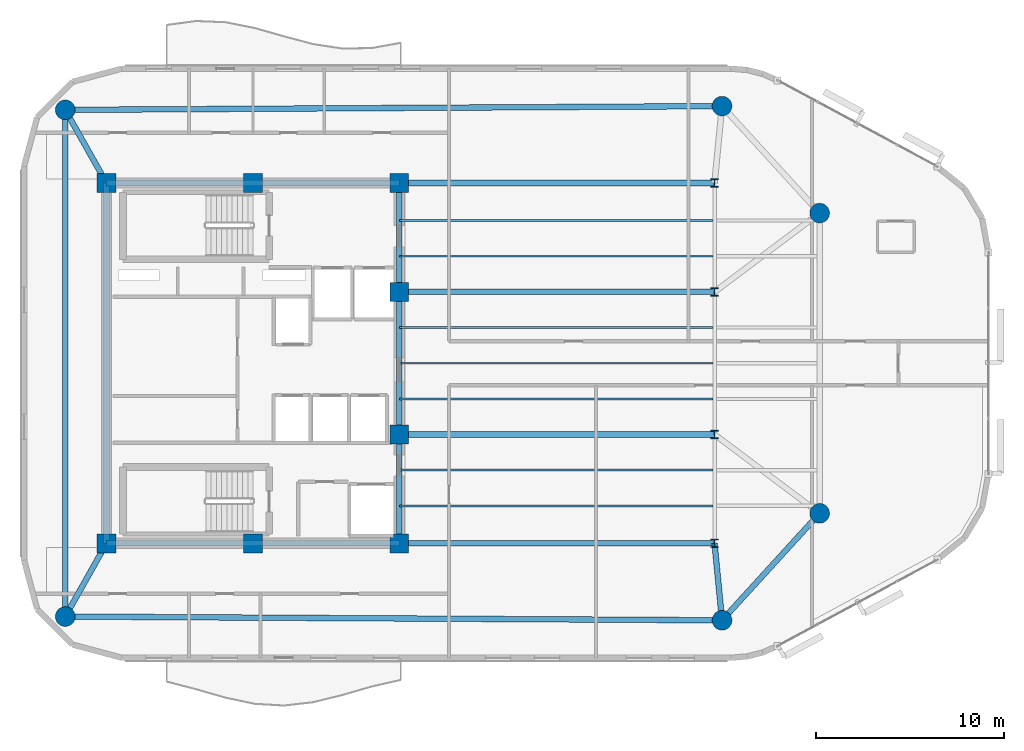
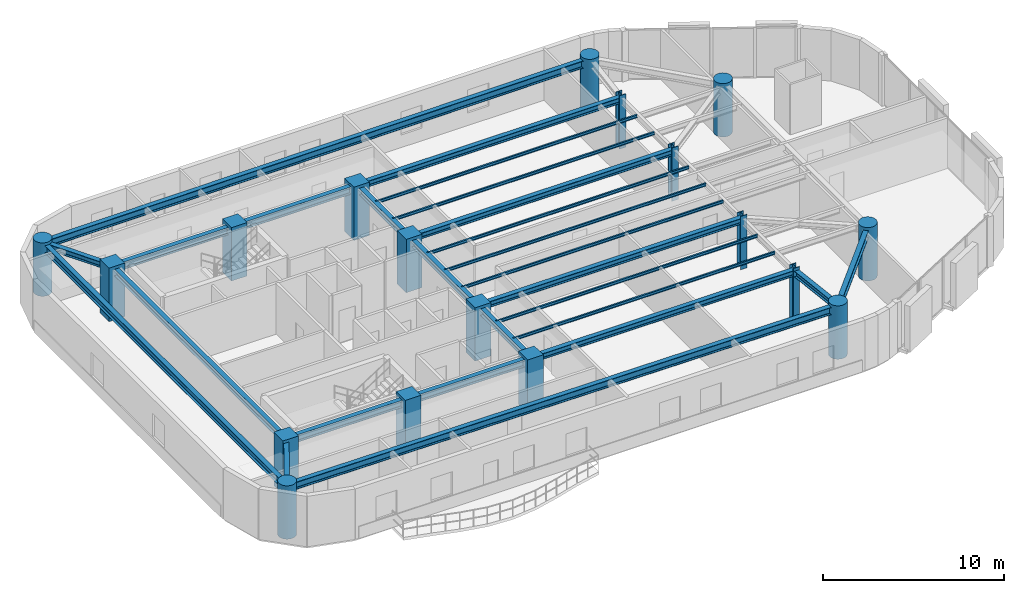
# One storey, part 1 of 13: 24 beams, 18 columns.
"""IFC4 building model written with IfcOpenShell, lengths in metres."""

from ifc_helpers import new_model, si_unit, direction, frame, origin, origin_2d, place, context, subcontext, project, spatial, rectangle, circle, i_section, extrude, material, material_profile, profile_set, type_object, element, save


model = new_model("IFC4")

# Units and contexts
model_context = context("Model", 3, precision=1e-05, world=origin(), true_north=direction((0.0, 1.0)))
body_context = subcontext(model_context, "Body", "Model", "MODEL_VIEW")
ifc_project = project(units=[si_unit("LENGTHUNIT", "METRE"), si_unit("AREAUNIT", "SQUARE_METRE"), si_unit("VOLUMEUNIT", "CUBIC_METRE"), si_unit("PLANEANGLEUNIT", "RADIAN"), si_unit("MASSUNIT", "GRAM", prefix="KILO")], contexts=[model_context])

# Site, building, storey
site_placement = place(None, origin())
site = spatial("IfcSite", under=ifc_project, at=site_placement, CompositionType="ELEMENT")
building_placement = place(site_placement, origin())
building = spatial("IfcBuilding", under=site, at=building_placement, Name="An Khanh Terracotta Commons", CompositionType="ELEMENT")
storey_placement = place(building_placement, frame((0.0, 0.0, 204.89990234375)))
storey = spatial("IfcBuildingStorey", under=building, at=storey_placement, Name="L53", CompositionType="ELEMENT", Elevation=204.89990234375)

# Columns
ifc_material_1 = material(Name="Concrete C60/75", Category="concrete")
ifc_material_profile_1 = material_profile(ifc_material_1, circle(Radius=0.52490234375, at=origin_2d()), Name="CFST1050")
ifc_profile_set_1 = profile_set([ifc_material_profile_1], Name="Concrete C60/75")
column_type_1 = type_object("IfcColumnType", Name="COL-CFST1050", PredefinedType="COLUMN", material=ifc_profile_set_1)
for number, where, z_axis, x_axis, name in (
    (1, (19.39990234375, 10.5, 0.0), (0.0, 0.0, 1.0), (1.0, 0.0, 0.0), "L53 Perimeter CFST Mega-Column MC-01"),
    (2, (54.39990234375, 10.300048828125, 0.0), (0.0, 0.0, 1.0), (1.0, 0.0, 0.0), "L53 Perimeter CFST Mega-Column MC-02"),
    (3, (59.60009765625, 16.0, 0.0), (0.0, 0.0, 1.0), (1.0, 0.0, 0.0), "L53 Perimeter CFST Mega-Column MC-03"),
    (4, (59.60009765625, 32.0, 0.0), (0.0, 0.0, 1.0), (1.0, 0.0, 0.0), "L53 Perimeter CFST Mega-Column MC-04"),
    (5, (54.39990234375, 37.699951171875, 0.0), (0.0, 0.0, 1.0), (1.0, 0.0, 0.0), "L53 Perimeter CFST Mega-Column MC-05"),
    (6, (19.39990234375, 37.5, 0.0), (0.0, 0.0, 1.0), (1.0, 0.0, 0.0), "L53 Perimeter CFST Mega-Column MC-06"),
):
    element("IfcColumn", number, at=place(storey_placement, frame(where, z_axis=z_axis, x_axis=x_axis)), inside=storey, type_object=column_type_1, Name=name, PredefinedType="COLUMN", context=body_context, shape_type="SweptSolid", body=[
        extrude(circle(Radius=0.52490234375, at=origin_2d()), origin(), (0.0, 0.0, 1.0), 3.60009765625),
    ])
ifc_material_2 = material(Name="Steel S460ML", Category="steel")
ifc_material_profile_2 = material_profile(ifc_material_2, i_section(OverallWidth=0.406005859375, OverallDepth=0.43994140625, WebThickness=0.02392578125, FlangeThickness=0.0390625, FilletRadius=0.014892578125, at=origin_2d()), Name="HD400x314")
ifc_profile_set_2 = profile_set([ifc_material_profile_2], Name="Steel S460ML")
column_type_2 = type_object("IfcColumnType", Name="COL-HD400x314", PredefinedType="COLUMN", material=ifc_profile_set_2)
for number, where, z_axis, x_axis, name in (
    (7, (54.0, 14.39990234375, 0.0), (0.0, 0.0, 1.0), (1.0, 0.0, 0.0), "L53 Interior Frame Column TC-01"),
    (8, (54.0, 20.199951171875, 0.0), (0.0, 0.0, 1.0), (1.0, 0.0, 0.0), "L53 Interior Frame Column TC-02"),
    (9, (54.0, 27.800048828125, 0.0), (0.0, 0.0, 1.0), (1.0, 0.0, 0.0), "L53 Interior Frame Column TC-03"),
    (10, (54.0, 33.60009765625, 0.0), (0.0, 0.0, 1.0), (1.0, 0.0, 0.0), "L53 Interior Frame Column TC-04"),
):
    element("IfcColumn", number, at=place(storey_placement, frame(where, z_axis=z_axis, x_axis=x_axis)), inside=storey, type_object=column_type_2, Name=name, PredefinedType="COLUMN", context=body_context, shape_type="SweptSolid", body=[
        extrude(i_section(OverallWidth=0.406005859375, OverallDepth=0.43994140625, WebThickness=0.02392578125, FlangeThickness=0.0390625, FilletRadius=0.014892578125, at=origin_2d()), origin(), (0.0, 0.0, 1.0), 3.60009765625),
    ])
ifc_material_profile_3 = material_profile(ifc_material_1, rectangle(XDim=1.0, YDim=1.0, at=origin_2d()), Name="RC1000x1000")
ifc_profile_set_3 = profile_set([ifc_material_profile_3], Name="Concrete C60/75")
column_type_3 = type_object("IfcColumnType", Name="COL-RC1000x1000", PredefinedType="COLUMN", material=ifc_profile_set_3)
for number, where, z_axis, x_axis, name in (
    (11, (21.60009765625, 14.39990234375, 0.0), (0.0, 0.0, 1.0), (1.0, 0.0, 0.0), "L53 Core Boundary Column CC-01"),
    (12, (29.39990234375, 14.39990234375, 0.0), (0.0, 0.0, 1.0), (1.0, 0.0, 0.0), "L53 Core Boundary Column CC-02"),
    (13, (37.199951171875, 14.39990234375, 0.0), (0.0, 0.0, 1.0), (1.0, 0.0, 0.0), "L53 Core Boundary Column CC-03"),
    (14, (37.199951171875, 20.199951171875, 0.0), (0.0, 0.0, 1.0), (1.0, 0.0, 0.0), "L53 Core Boundary Column CC-04"),
    (15, (37.199951171875, 27.800048828125, 0.0), (0.0, 0.0, 1.0), (1.0, 0.0, 0.0), "L53 Core Boundary Column CC-05"),
    (16, (37.199951171875, 33.60009765625, 0.0), (0.0, 0.0, 1.0), (1.0, 0.0, 0.0), "L53 Core Boundary Column CC-06"),
    (17, (29.39990234375, 33.60009765625, 0.0), (0.0, 0.0, 1.0), (1.0, 0.0, 0.0), "L53 Core Boundary Column CC-07"),
    (18, (21.60009765625, 33.60009765625, 0.0), (0.0, 0.0, 1.0), (1.0, 0.0, 0.0), "L53 Core Boundary Column CC-08"),
):
    element("IfcColumn", number, at=place(storey_placement, frame(where, z_axis=z_axis, x_axis=x_axis)), inside=storey, type_object=column_type_3, Name=name, PredefinedType="COLUMN", context=body_context, shape_type="SweptSolid", body=[
        extrude(rectangle(XDim=1.0, YDim=1.0, at=origin_2d()), origin(), (0.0, 0.0, 1.0), 3.60009765625),
    ])

# Beams
ifc_material_3 = material(Name="Steel S355J2", Category="steel")
ifc_material_profile_4 = material_profile(ifc_material_3, i_section(OverallWidth=0.300048828125, OverallDepth=0.39990234375, WebThickness=0.013427734375, FlangeThickness=0.02392578125, FilletRadius=0.027099609375, at=origin_2d()), Name="HEB400")
ifc_profile_set_4 = profile_set([ifc_material_profile_4], Name="Steel S355J2")
beam_type_1 = type_object("IfcBeamType", Name="BM-HEB400", PredefinedType="BEAM", material=ifc_profile_set_4)
for number, where, z_axis, x_axis, name in (
    (19, (37.199951171875, 14.39990234375, 3.2001953125), (1.0, 0.0, 0.0), (0.0, 1.0, 0.0), "L53 East Primary Floor Girder 1"),
    (20, (37.199951171875, 20.199951171875, 3.2001953125), (1.0, 0.0, 0.0), (0.0, 1.0, 0.0), "L53 East Primary Floor Girder 2"),
    (21, (37.199951171875, 27.800048828125, 3.2001953125), (1.0, 0.0, 0.0), (0.0, 1.0, 0.0), "L53 East Primary Floor Girder 3"),
    (22, (37.199951171875, 33.60009765625, 3.2001953125), (1.0, 0.0, 0.0), (0.0, 1.0, 0.0), "L53 East Primary Floor Girder 4"),
):
    element("IfcBeam", number, at=place(storey_placement, frame(where, z_axis=z_axis, x_axis=x_axis)), inside=storey, type_object=beam_type_1, Name=name, PredefinedType="BEAM", context=body_context, shape_type="SweptSolid", body=[
        extrude(i_section(OverallWidth=0.300048828125, OverallDepth=0.39990234375, WebThickness=0.013427734375, FlangeThickness=0.02392578125, FilletRadius=0.027099609375, at=origin_2d()), origin(), (0.0, 0.0, 1.0), 16.800048828125),
    ])
beam_1_placement = place(storey_placement, frame((19.39990234375, 10.5, 3.2001953125), z_axis=(0.491363608436, 0.870954536302, 0.0), x_axis=(-0.870954536302, 0.491363608436, 0.0)))
element("IfcBeam", 23, at=beam_1_placement, inside=storey, type_object=beam_type_1, Name="L53 Mega-Column Tie Girder 1", PredefinedType="BEAM", context=body_context, shape_type="SweptSolid", body=[
    extrude(i_section(OverallWidth=0.300048828125, OverallDepth=0.39990234375, WebThickness=0.013427734375, FlangeThickness=0.02392578125, FilletRadius=0.027099609375, at=origin_2d()), origin(), (0.0, 0.0, 1.0), 4.477783203125),
])
beam_2_placement = place(storey_placement, frame((54.39990234375, 10.300048828125, 3.2001953125), z_axis=(-0.097079917443, 0.995276589511, 0.0), x_axis=(-0.995276589511, -0.097079917443, 0.0)))
element("IfcBeam", 24, at=beam_2_placement, inside=storey, type_object=beam_type_1, Name="L53 Mega-Column Tie Girder 2", PredefinedType="BEAM", context=body_context, shape_type="SweptSolid", body=[
    extrude(i_section(OverallWidth=0.300048828125, OverallDepth=0.39990234375, WebThickness=0.013427734375, FlangeThickness=0.02392578125, FilletRadius=0.027099609375, at=origin_2d()), origin(), (0.0, 0.0, 1.0), 4.119384765625),
])
beam_3_placement = place(storey_placement, frame((19.39990234375, 37.5, 3.2001953125), z_axis=(0.491363608436, -0.870954536302, 0.0), x_axis=(0.870954536302, 0.491363608436, 0.0)))
element("IfcBeam", 25, at=beam_3_placement, inside=storey, type_object=beam_type_1, Name="L53 Mega-Column Tie Girder 6", PredefinedType="BEAM", context=body_context, shape_type="SweptSolid", body=[
    extrude(i_section(OverallWidth=0.300048828125, OverallDepth=0.39990234375, WebThickness=0.013427734375, FlangeThickness=0.02392578125, FilletRadius=0.027099609375, at=origin_2d()), origin(), (0.0, 0.0, 1.0), 4.477783203125),
])
ifc_material_profile_5 = material_profile(ifc_material_3, i_section(OverallWidth=0.300048828125, OverallDepth=0.449951171875, WebThickness=0.013916015625, FlangeThickness=0.02587890625, FilletRadius=0.027099609375, at=origin_2d()), Name="HEB450")
ifc_profile_set_5 = profile_set([ifc_material_profile_5], Name="Steel S355J2")
beam_type_2 = type_object("IfcBeamType", Name="BM-HEB450", PredefinedType="BEAM", material=ifc_profile_set_5)
beam_4_placement = place(storey_placement, frame((37.199951171875, 14.39990234375, 3.175048828125), z_axis=(0.0, 1.0, 0.0), x_axis=(-1.0, 0.0, 0.0)))
element("IfcBeam", 26, at=beam_4_placement, inside=storey, type_object=beam_type_2, Name="L53 Core East Coupling Girder 1", PredefinedType="BEAM", context=body_context, shape_type="SweptSolid", body=[
    extrude(i_section(OverallWidth=0.300048828125, OverallDepth=0.449951171875, WebThickness=0.013916015625, FlangeThickness=0.02587890625, FilletRadius=0.027099609375, at=origin_2d()), origin(), (0.0, 0.0, 1.0), 5.800048828125),
])
beam_5_placement = place(storey_placement, frame((37.199951171875, 20.199951171875, 3.175048828125), z_axis=(0.0, 1.0, 0.0), x_axis=(-1.0, 0.0, 0.0)))
element("IfcBeam", 27, at=beam_5_placement, inside=storey, type_object=beam_type_2, Name="L53 Core East Coupling Girder 2", PredefinedType="BEAM", context=body_context, shape_type="SweptSolid", body=[
    extrude(i_section(OverallWidth=0.300048828125, OverallDepth=0.449951171875, WebThickness=0.013916015625, FlangeThickness=0.02587890625, FilletRadius=0.027099609375, at=origin_2d()), origin(), (0.0, 0.0, 1.0), 7.60009765625),
])
beam_6_placement = place(storey_placement, frame((37.199951171875, 27.800048828125, 3.175048828125), z_axis=(0.0, 1.0, 0.0), x_axis=(-1.0, 0.0, 0.0)))
element("IfcBeam", 28, at=beam_6_placement, inside=storey, type_object=beam_type_2, Name="L53 Core East Coupling Girder 3", PredefinedType="BEAM", context=body_context, shape_type="SweptSolid", body=[
    extrude(i_section(OverallWidth=0.300048828125, OverallDepth=0.449951171875, WebThickness=0.013916015625, FlangeThickness=0.02587890625, FilletRadius=0.027099609375, at=origin_2d()), origin(), (0.0, 0.0, 1.0), 5.800048828125),
])
beam_7_placement = place(storey_placement, frame((21.60009765625, 14.39990234375, 3.175048828125), z_axis=(0.0, 1.0, 0.0), x_axis=(-1.0, 0.0, 0.0)))
element("IfcBeam", 29, at=beam_7_placement, inside=storey, type_object=beam_type_2, Name="L53 Core West Coupling Girder", PredefinedType="BEAM", context=body_context, shape_type="SweptSolid", body=[
    extrude(i_section(OverallWidth=0.300048828125, OverallDepth=0.449951171875, WebThickness=0.013916015625, FlangeThickness=0.02587890625, FilletRadius=0.027099609375, at=origin_2d()), origin(), (0.0, 0.0, 1.0), 19.2001953125),
])
ifc_material_profile_6 = material_profile(ifc_material_3, i_section(OverallWidth=0.300048828125, OverallDepth=0.5, WebThickness=0.014404296875, FlangeThickness=0.028076171875, FilletRadius=0.027099609375, at=origin_2d()), Name="HEB500")
ifc_profile_set_6 = profile_set([ifc_material_profile_6], Name="Steel S355J2")
beam_type_3 = type_object("IfcBeamType", Name="BM-HEB500", PredefinedType="BEAM", material=ifc_profile_set_6)
for number, where, z_axis, x_axis, name in (
    (30, (21.60009765625, 14.39990234375, 3.150146484375), (1.0, 0.0, 0.0), (0.0, 1.0, 0.0), "L53 Core South Coupling Girder"),
    (31, (21.60009765625, 33.60009765625, 3.150146484375), (1.0, 0.0, 0.0), (0.0, 1.0, 0.0), "L53 Core North Coupling Girder"),
):
    element("IfcBeam", number, at=place(storey_placement, frame(where, z_axis=z_axis, x_axis=x_axis)), inside=storey, type_object=beam_type_3, Name=name, PredefinedType="BEAM", context=body_context, shape_type="SweptSolid", body=[
        extrude(i_section(OverallWidth=0.300048828125, OverallDepth=0.5, WebThickness=0.014404296875, FlangeThickness=0.028076171875, FilletRadius=0.027099609375, at=origin_2d()), origin(), (0.0, 0.0, 1.0), 15.599853515625),
    ])
beam_8_placement = place(storey_placement, frame((19.39990234375, 10.5, 3.150146484375), z_axis=(0.99998368184, -0.005712797401, 0.0), x_axis=(0.005712797401, 0.99998368184, 0.0)))
element("IfcBeam", 32, at=beam_8_placement, inside=storey, type_object=beam_type_3, Name="L53 Perimeter Ring Spandrel 1", PredefinedType="BEAM", context=body_context, shape_type="SweptSolid", body=[
    extrude(i_section(OverallWidth=0.300048828125, OverallDepth=0.5, WebThickness=0.014404296875, FlangeThickness=0.028076171875, FilletRadius=0.027099609375, at=origin_2d()), origin(), (0.0, 0.0, 1.0), 35.00048828125),
])
beam_9_placement = place(storey_placement, frame((54.39990234375, 10.300048828125, 3.150146484375), z_axis=(0.673978953902, 0.738750546326, 0.0), x_axis=(-0.738750546326, 0.673978953902, 0.0)))
element("IfcBeam", 33, at=beam_9_placement, inside=storey, type_object=beam_type_3, Name="L53 Perimeter Ring Spandrel 2", PredefinedType="BEAM", context=body_context, shape_type="SweptSolid", body=[
    extrude(i_section(OverallWidth=0.300048828125, OverallDepth=0.5, WebThickness=0.014404296875, FlangeThickness=0.028076171875, FilletRadius=0.027099609375, at=origin_2d()), origin(), (0.0, 0.0, 1.0), 7.715576171875),
])
beam_10_placement = place(storey_placement, frame((54.39990234375, 37.699951171875, 3.150146484375), z_axis=(-0.99998368184, -0.005712797401, 0.0), x_axis=(0.005712797401, -0.99998368184, 0.0)))
element("IfcBeam", 34, at=beam_10_placement, inside=storey, type_object=beam_type_3, Name="L53 Perimeter Ring Spandrel 5", PredefinedType="BEAM", context=body_context, shape_type="SweptSolid", body=[
    extrude(i_section(OverallWidth=0.300048828125, OverallDepth=0.5, WebThickness=0.014404296875, FlangeThickness=0.028076171875, FilletRadius=0.027099609375, at=origin_2d()), origin(), (0.0, 0.0, 1.0), 35.00048828125),
])
beam_11_placement = place(storey_placement, frame((19.39990234375, 37.5, 3.150146484375), z_axis=(0.0, -1.0, 0.0), x_axis=(1.0, 0.0, 0.0)))
element("IfcBeam", 35, at=beam_11_placement, inside=storey, type_object=beam_type_3, Name="L53 Perimeter Ring Spandrel 6", PredefinedType="BEAM", context=body_context, shape_type="SweptSolid", body=[
    extrude(i_section(OverallWidth=0.300048828125, OverallDepth=0.5, WebThickness=0.014404296875, FlangeThickness=0.028076171875, FilletRadius=0.027099609375, at=origin_2d()), origin(), (0.0, 0.0, 1.0), 27.0),
])
ifc_material_profile_7 = material_profile(ifc_material_3, i_section(OverallWidth=0.10009765625, OverallDepth=0.199951171875, WebThickness=0.005615234375, FlangeThickness=0.008544921875, FilletRadius=0.011962890625, at=origin_2d()), Name="IPE200")
ifc_profile_set_7 = profile_set([ifc_material_profile_7], Name="Steel S355J2")
beam_type_4 = type_object("IfcBeamType", Name="BM-IPE200", PredefinedType="JOIST", material=ifc_profile_set_7)
for number, where, z_axis, x_axis, name in (
    (36, (37.199951171875, 16.39990234375, 3.300048828125), (1.0, 0.0, 0.0), (0.0, 1.0, 0.0), "L53 Inboard Composite Joist 1"),
    (37, (37.199951171875, 18.300048828125, 3.300048828125), (1.0, 0.0, 0.0), (0.0, 1.0, 0.0), "L53 Inboard Composite Joist 2"),
    (38, (37.199951171875, 22.10009765625, 3.300048828125), (1.0, 0.0, 0.0), (0.0, 1.0, 0.0), "L53 Inboard Composite Joist 3"),
    (39, (37.199951171875, 24.0, 3.300048828125), (1.0, 0.0, 0.0), (0.0, 1.0, 0.0), "L53 Inboard Composite Joist 4"),
    (40, (37.199951171875, 25.89990234375, 3.300048828125), (1.0, 0.0, 0.0), (0.0, 1.0, 0.0), "L53 Inboard Composite Joist 5"),
    (41, (37.199951171875, 29.699951171875, 3.300048828125), (1.0, 0.0, 0.0), (0.0, 1.0, 0.0), "L53 Inboard Composite Joist 6"),
    (42, (37.199951171875, 31.60009765625, 3.300048828125), (1.0, 0.0, 0.0), (0.0, 1.0, 0.0), "L53 Inboard Composite Joist 7"),
):
    element("IfcBeam", number, at=place(storey_placement, frame(where, z_axis=z_axis, x_axis=x_axis)), inside=storey, type_object=beam_type_4, Name=name, PredefinedType="JOIST", context=body_context, shape_type="SweptSolid", body=[
        extrude(i_section(OverallWidth=0.10009765625, OverallDepth=0.199951171875, WebThickness=0.005615234375, FlangeThickness=0.008544921875, FilletRadius=0.011962890625, at=origin_2d()), origin(), (0.0, 0.0, 1.0), 16.705078125),
    ])

save(model, "model.ifc")
